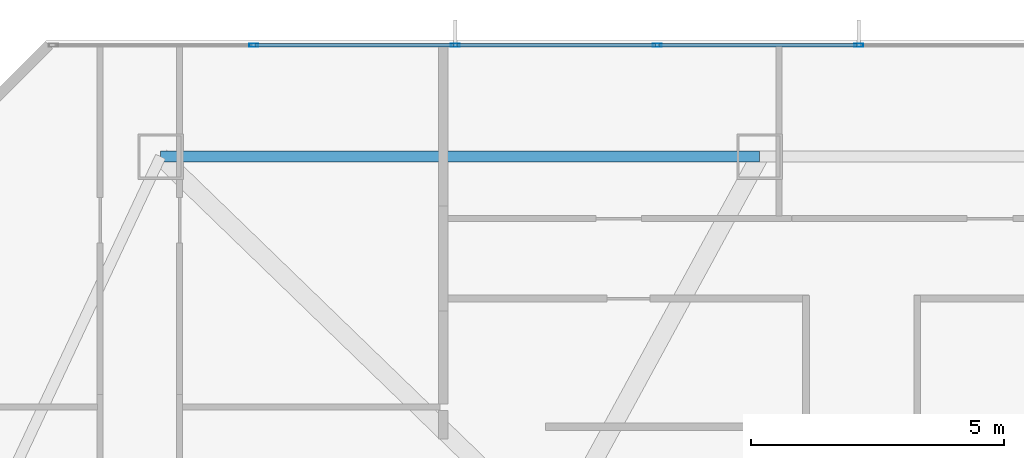
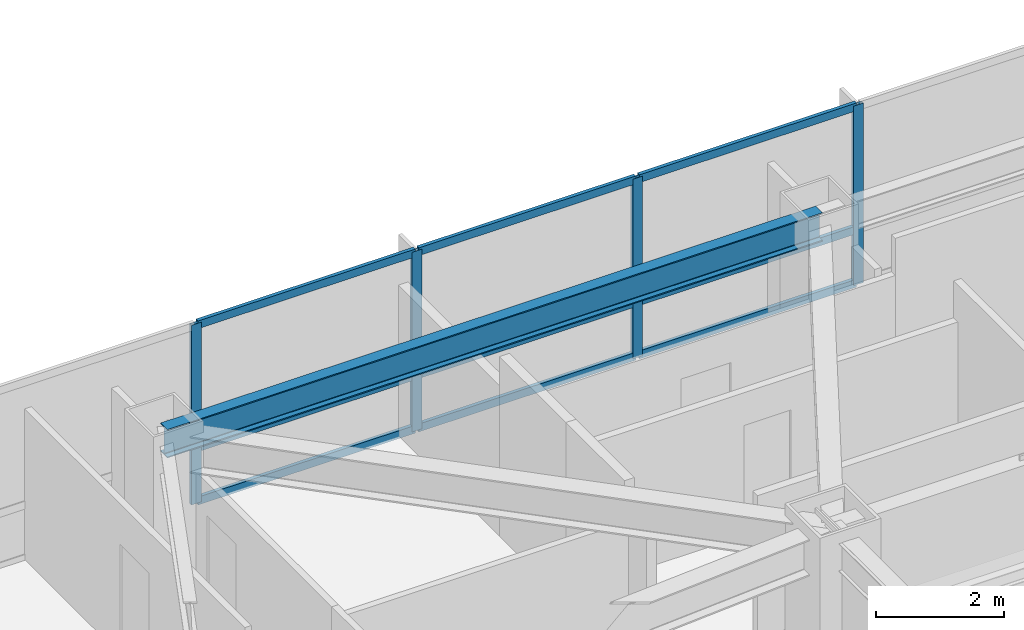
# One storey, part 6 of 21: 13 members, 1 beam, 1 element without a shape of its own.
"""IFC4 building model written with IfcOpenShell, lengths in metres."""

from ifc_helpers import new_model, si_unit, direction, frame, origin, origin_2d, place, context, subcontext, project, spatial, hollow_rectangle, i_section, extrude, material, material_profile, profile_set, type_object, element, aggregate, save


model = new_model("IFC4")

# Units and contexts
model_context = context("Model", 3, precision=1e-05, world=origin(), true_north=direction((0.0, 1.0)))
body_context = subcontext(model_context, "Body", "Model", "MODEL_VIEW")
ifc_project = project(units=[si_unit("LENGTHUNIT", "METRE"), si_unit("AREAUNIT", "SQUARE_METRE"), si_unit("VOLUMEUNIT", "CUBIC_METRE"), si_unit("PLANEANGLEUNIT", "RADIAN"), si_unit("MASSUNIT", "GRAM", prefix="KILO")], contexts=[model_context])

# Site, building, storey
site_placement = place(None, origin())
site = spatial("IfcSite", under=ifc_project, at=site_placement, CompositionType="ELEMENT")
building_placement = place(site_placement, origin())
building = spatial("IfcBuilding", under=site, at=building_placement, Name="Khamvora Tower", CompositionType="ELEMENT")
storey_placement = place(building_placement, frame((0.0, 0.0, 159.550048828125)))
storey = spatial("IfcBuildingStorey", under=building, at=storey_placement, Name="L40", CompositionType="ELEMENT", Elevation=159.550048828125)

# Beam
ifc_material_1 = material(Name="Steel S355", Category="steel")
ifc_material_profile_1 = material_profile(ifc_material_1, i_section(OverallWidth=0.2119140625, OverallDepth=0.5439453125, WebThickness=0.012939453125, FlangeThickness=0.02099609375, FilletRadius=0.013916015625, at=origin_2d()), Name="W530x123")
ifc_profile_set_1 = profile_set([ifc_material_profile_1], Name="Steel S355")
beam_type = type_object("IfcBeamType", Name="BM-SP-W530x123", PredefinedType="SPANDREL", material=ifc_profile_set_1)
beam_placement = place(storey_placement, frame((33.0830078125, 44.5, 3.157958984375), z_axis=(-1.0, 0.0, 0.0), x_axis=(0.0, -1.0, 0.0)))
element("IfcBeam", 1, at=beam_placement, inside=storey, type_object=beam_type, Name="L40 perimeter spandrel beam N2-N1", PredefinedType="SPANDREL", context=body_context, shape_type="SweptSolid", body=[
    extrude(i_section(OverallWidth=0.2119140625, OverallDepth=0.5439453125, WebThickness=0.012939453125, FlangeThickness=0.02099609375, FilletRadius=0.013916015625, at=origin_2d()), origin(), (0.0, 0.0, 1.0), 11.8330078125),
])

# Curtain wall, members
ifc_material_2 = material(Name="Anodised Aluminium 6063-T6", Category="aluminium")
curtain_wall_type = type_object("IfcCurtainWallType", Name="CW-SYS-04", PredefinedType="NOTDEFINED", material=ifc_material_2)
curtain_wall_placement = place(storey_placement, origin())
curtain_wall = element("IfcCurtainWall", 2, at=curtain_wall_placement, inside=storey, type_object=curtain_wall_type, Name="L40 stick curtain wall 07.1", PredefinedType="NOTDEFINED")
ifc_material_profile_2 = material_profile(ifc_material_2, hollow_rectangle(XDim=0.06494140625, YDim=0.179931640625, WallThickness=0.0048828125, at=origin_2d()), Name="MUL65x180x5")
ifc_profile_set_2 = profile_set([ifc_material_profile_2], Name="Anodised Aluminium 6063-T6")
member_type_1 = type_object("IfcMemberType", Name="CW-SYS-04-MUL", PredefinedType="MULLION", material=ifc_profile_set_2)
member_1_placement = place(storey_placement, frame((23.087646484375, 46.699951171875, 0.0), z_axis=(0.0, 0.0, 1.0), x_axis=(0.0, 1.0, 0.0)))
member_1 = element("IfcMember", 3, at=member_1_placement, type_object=member_type_1, Name="CW-04 mullion 2", PredefinedType="MULLION", context=body_context, shape_type="SweptSolid", body=[
    extrude(hollow_rectangle(XDim=0.06494140625, YDim=0.179931640625, WallThickness=0.0048828125, at=origin_2d()), origin(), (0.0, 0.0, 1.0), 3.429931640625),
])
member_2_placement = place(storey_placement, frame((27.073486328125, 46.699951171875, 0.0), z_axis=(0.0, 0.0, 1.0), x_axis=(0.0, 1.0, 0.0)))
member_2 = element("IfcMember", 4, at=member_2_placement, type_object=member_type_1, Name="CW-04 mullion 3", PredefinedType="MULLION", context=body_context, shape_type="SweptSolid", body=[
    extrude(hollow_rectangle(XDim=0.06494140625, YDim=0.179931640625, WallThickness=0.0048828125, at=origin_2d()), origin(), (0.0, 0.0, 1.0), 3.429931640625),
])
member_3_placement = place(storey_placement, frame((31.05908203125, 46.699951171875, 0.0), z_axis=(0.0, 0.0, 1.0), x_axis=(0.0, 1.0, 0.0)))
member_3 = element("IfcMember", 5, at=member_3_placement, type_object=member_type_1, Name="CW-04 mullion 4", PredefinedType="MULLION", context=body_context, shape_type="SweptSolid", body=[
    extrude(hollow_rectangle(XDim=0.06494140625, YDim=0.179931640625, WallThickness=0.0048828125, at=origin_2d()), origin(), (0.0, 0.0, 1.0), 3.429931640625),
])
member_4_placement = place(storey_placement, frame((35.044921875, 46.699951171875, 0.0), z_axis=(0.0, 0.0, 1.0), x_axis=(0.0, 1.0, 0.0)))
member_4 = element("IfcMember", 6, at=member_4_placement, type_object=member_type_1, Name="CW-04 mullion 5", PredefinedType="MULLION", context=body_context, shape_type="SweptSolid", body=[
    extrude(hollow_rectangle(XDim=0.06494140625, YDim=0.179931640625, WallThickness=0.0048828125, at=origin_2d()), origin(), (0.0, 0.0, 1.0), 3.429931640625),
])
ifc_material_profile_3 = material_profile(ifc_material_2, hollow_rectangle(XDim=0.06494140625, YDim=0.14990234375, WallThickness=0.0048828125, at=origin_2d()), Name="TRN65x150x5")
ifc_profile_set_3 = profile_set([ifc_material_profile_3], Name="Anodised Aluminium 6063-T6")
member_type_2 = type_object("IfcMemberType", Name="CW-SYS-04-TRN", PredefinedType="USERDEFINED", material=ifc_profile_set_3)
member_5_placement = place(storey_placement, frame((23.1201171875, 46.699951171875, 0.032470703125), z_axis=(1.0, 0.0, 0.0), x_axis=(0.0, 1.0, 0.0)))
member_5 = element("IfcMember", 7, at=member_5_placement, type_object=member_type_2, Name="CW-04 transom 2.1", ObjectType="TRANSOM", PredefinedType="USERDEFINED", context=body_context, shape_type="SweptSolid", body=[
    extrude(hollow_rectangle(XDim=0.06494140625, YDim=0.14990234375, WallThickness=0.0048828125, at=origin_2d()), origin(), (0.0, 0.0, 1.0), 3.9208984375),
])
member_6_placement = place(storey_placement, frame((23.1201171875, 46.699951171875, 1.050048828125), z_axis=(1.0, 0.0, 0.0), x_axis=(0.0, 1.0, 0.0)))
member_6 = element("IfcMember", 8, at=member_6_placement, type_object=member_type_2, Name="CW-04 transom 2.2", ObjectType="TRANSOM", PredefinedType="USERDEFINED", context=body_context, shape_type="SweptSolid", body=[
    extrude(hollow_rectangle(XDim=0.06494140625, YDim=0.14990234375, WallThickness=0.0048828125, at=origin_2d()), origin(), (0.0, 0.0, 1.0), 3.9208984375),
])
member_7_placement = place(storey_placement, frame((23.1201171875, 46.699951171875, 3.3974609375), z_axis=(1.0, 0.0, 0.0), x_axis=(0.0, 1.0, 0.0)))
member_7 = element("IfcMember", 9, at=member_7_placement, type_object=member_type_2, Name="CW-04 transom 2.3", ObjectType="TRANSOM", PredefinedType="USERDEFINED", context=body_context, shape_type="SweptSolid", body=[
    extrude(hollow_rectangle(XDim=0.06494140625, YDim=0.14990234375, WallThickness=0.0048828125, at=origin_2d()), origin(), (0.0, 0.0, 1.0), 3.9208984375),
])
member_8_placement = place(storey_placement, frame((27.10595703125, 46.699951171875, 0.032470703125), z_axis=(1.0, 0.0, 0.0), x_axis=(0.0, 1.0, 0.0)))
member_8 = element("IfcMember", 10, at=member_8_placement, type_object=member_type_2, Name="CW-04 transom 3.1", ObjectType="TRANSOM", PredefinedType="USERDEFINED", context=body_context, shape_type="SweptSolid", body=[
    extrude(hollow_rectangle(XDim=0.06494140625, YDim=0.14990234375, WallThickness=0.0048828125, at=origin_2d()), origin(), (0.0, 0.0, 1.0), 3.920654296875),
])
member_9_placement = place(storey_placement, frame((27.10595703125, 46.699951171875, 1.050048828125), z_axis=(1.0, 0.0, 0.0), x_axis=(0.0, 1.0, 0.0)))
member_9 = element("IfcMember", 11, at=member_9_placement, type_object=member_type_2, Name="CW-04 transom 3.2", ObjectType="TRANSOM", PredefinedType="USERDEFINED", context=body_context, shape_type="SweptSolid", body=[
    extrude(hollow_rectangle(XDim=0.06494140625, YDim=0.14990234375, WallThickness=0.0048828125, at=origin_2d()), origin(), (0.0, 0.0, 1.0), 3.920654296875),
])
member_10_placement = place(storey_placement, frame((27.10595703125, 46.699951171875, 3.3974609375), z_axis=(1.0, 0.0, 0.0), x_axis=(0.0, 1.0, 0.0)))
member_10 = element("IfcMember", 12, at=member_10_placement, type_object=member_type_2, Name="CW-04 transom 3.3", ObjectType="TRANSOM", PredefinedType="USERDEFINED", context=body_context, shape_type="SweptSolid", body=[
    extrude(hollow_rectangle(XDim=0.06494140625, YDim=0.14990234375, WallThickness=0.0048828125, at=origin_2d()), origin(), (0.0, 0.0, 1.0), 3.920654296875),
])
member_11_placement = place(storey_placement, frame((31.091552734375, 46.699951171875, 0.032470703125), z_axis=(1.0, 0.0, 0.0), x_axis=(0.0, 1.0, 0.0)))
member_11 = element("IfcMember", 13, at=member_11_placement, type_object=member_type_2, Name="CW-04 transom 4.1", ObjectType="TRANSOM", PredefinedType="USERDEFINED", context=body_context, shape_type="SweptSolid", body=[
    extrude(hollow_rectangle(XDim=0.06494140625, YDim=0.14990234375, WallThickness=0.0048828125, at=origin_2d()), origin(), (0.0, 0.0, 1.0), 3.920654296875),
])
member_12_placement = place(storey_placement, frame((31.091552734375, 46.699951171875, 1.050048828125), z_axis=(1.0, 0.0, 0.0), x_axis=(0.0, 1.0, 0.0)))
member_12 = element("IfcMember", 14, at=member_12_placement, type_object=member_type_2, Name="CW-04 transom 4.2", ObjectType="TRANSOM", PredefinedType="USERDEFINED", context=body_context, shape_type="SweptSolid", body=[
    extrude(hollow_rectangle(XDim=0.06494140625, YDim=0.14990234375, WallThickness=0.0048828125, at=origin_2d()), origin(), (0.0, 0.0, 1.0), 3.920654296875),
])
member_13_placement = place(storey_placement, frame((31.091552734375, 46.699951171875, 3.3974609375), z_axis=(1.0, 0.0, 0.0), x_axis=(0.0, 1.0, 0.0)))
member_13 = element("IfcMember", 15, at=member_13_placement, type_object=member_type_2, Name="CW-04 transom 4.3", ObjectType="TRANSOM", PredefinedType="USERDEFINED", context=body_context, shape_type="SweptSolid", body=[
    extrude(hollow_rectangle(XDim=0.06494140625, YDim=0.14990234375, WallThickness=0.0048828125, at=origin_2d()), origin(), (0.0, 0.0, 1.0), 3.920654296875),
])
aggregate(curtain_wall, [member_1, member_2, member_3, member_4, member_5, member_6, member_7, member_8, member_9, member_10, member_11, member_12, member_13])

save(model, "model.ifc")
